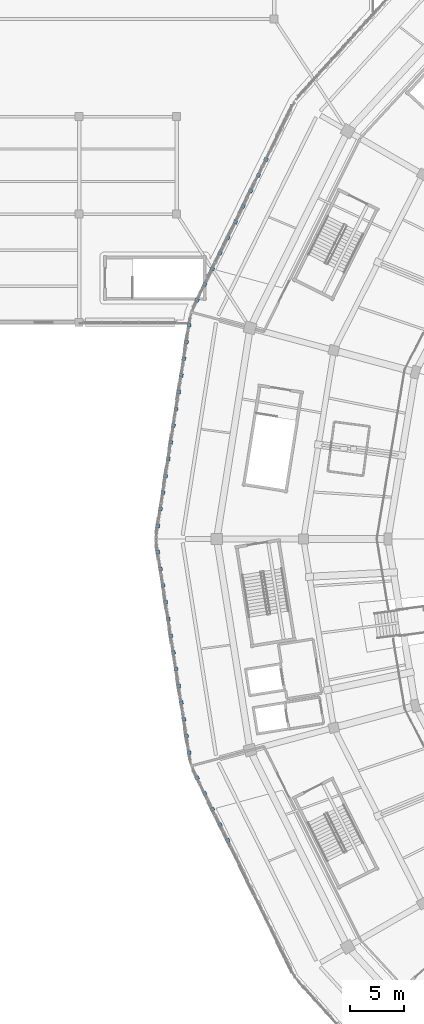
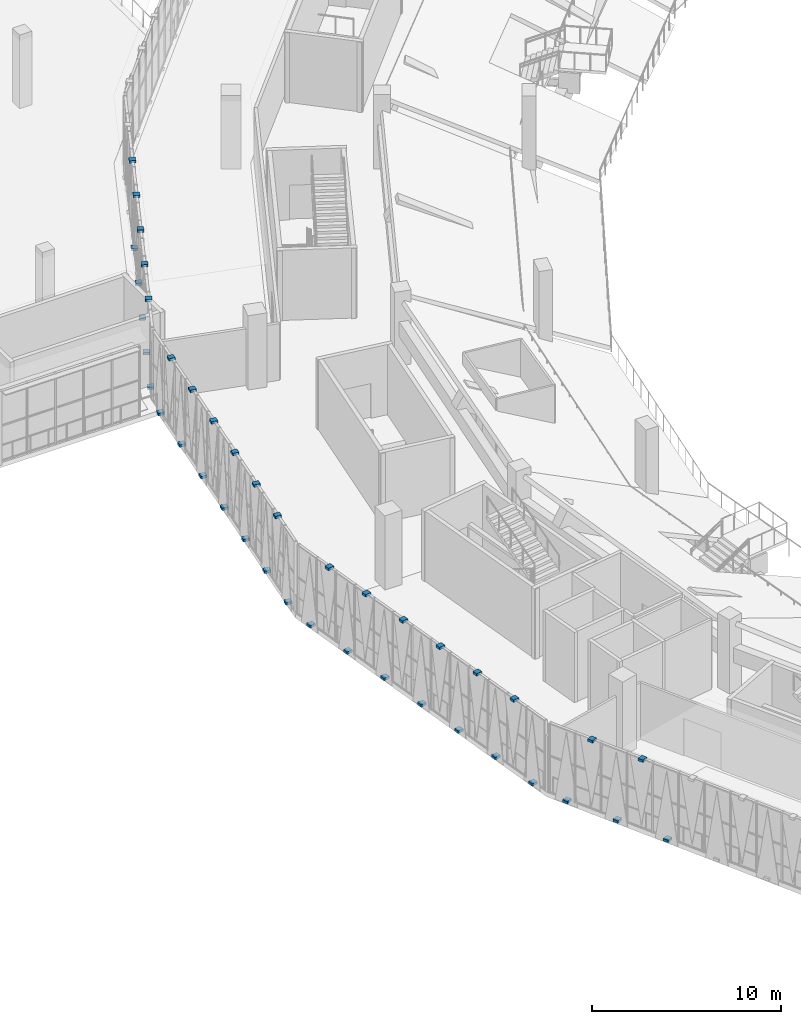
# One storey, part 106 of 152: 41 discrete accessories.
"""IFC4 building model written with IfcOpenShell, lengths in metres."""

from ifc_helpers import new_model, si_unit, direction, frame, origin, origin_2d, place, context, subcontext, project, spatial, rectangle, extrude, material, layer, layer_set, type_object, element, save


model = new_model("IFC4")

# Units and contexts
model_context = context("Model", 3, precision=1e-05, world=origin(), true_north=direction((0.0, 1.0)))
body_context = subcontext(model_context, "Body", "Model", "MODEL_VIEW")
ifc_project = project(units=[si_unit("LENGTHUNIT", "METRE"), si_unit("AREAUNIT", "SQUARE_METRE"), si_unit("VOLUMEUNIT", "CUBIC_METRE"), si_unit("PLANEANGLEUNIT", "RADIAN"), si_unit("MASSUNIT", "GRAM", prefix="KILO")], contexts=[model_context])

# Site, building, storey
site_placement = place(None, origin())
site = spatial("IfcSite", under=ifc_project, at=site_placement, CompositionType="ELEMENT")
building_placement = place(site_placement, origin())
building = spatial("IfcBuilding", under=site, at=building_placement, Name="Zevraka Park Crest Stadium", CompositionType="ELEMENT")
storey_placement = place(building_placement, frame((0.0, 0.0, 15.0)))
storey = spatial("IfcBuildingStorey", under=building, at=storey_placement, Name="L03", CompositionType="ELEMENT", Elevation=15.0)

# Discrete accessories
ifc_material = material(Name="Galvanised steel bracketry", Category="steel")
ifc_layer = layer(ifc_material, 0.1201171875)
ifc_layer_set = layer_set([ifc_layer], Name="Galvanised steel bracketry")
discrete_accessory_type = type_object("IfcDiscreteAccessoryType", Name="BRK01", PredefinedType="BRACKET", material=ifc_layer_set)
for number, where, z_axis, x_axis, name in (
    (1, (26.241943359375, 127.028076171875, 4.39990234375), (0.0, 0.0, 1.0), (-0.440722679139, -0.897643314515, 0.0), "Bronze Screen Carrier Bracket BRK01 L03-10-4"),
    (2, (25.534912109375, 125.5869140625, -0.16015625), (0.0, 0.0, 1.0), (-0.440722679139, -0.897643314515, 0.0), "Bronze Screen Carrier Bracket BRK01 L03-10-5"),
    (3, (24.827880859375, 124.14697265625, 4.39990234375), (0.0, 0.0, 1.0), (-0.440722679139, -0.897643314515, 0.0), "Bronze Screen Carrier Bracket BRK01 L03-10-6"),
    (4, (24.1201171875, 122.7060546875, -0.16015625), (0.0, 0.0, 1.0), (-0.440722679139, -0.897643314515, 0.0), "Bronze Screen Carrier Bracket BRK01 L03-10-7"),
    (5, (23.4130859375, 121.264892578125, 4.39990234375), (0.0, 0.0, 1.0), (-0.440722679139, -0.897643314515, 0.0), "Bronze Screen Carrier Bracket BRK01 L03-10-8"),
    (6, (22.7060546875, 119.824951171875, -0.16015625), (0.0, 0.0, 1.0), (-0.440722679139, -0.897643314515, 0.0), "Bronze Screen Carrier Bracket BRK01 L03-10-9"),
    (7, (21.9990234375, 118.384033203125, 4.39990234375), (0.0, 0.0, 1.0), (-0.440722679139, -0.897643314515, 0.0), "Bronze Screen Carrier Bracket BRK01 L03-10-10"),
    (8, (21.291015625, 116.944091796875, -0.16015625), (0.0, 0.0, 1.0), (-0.440722679139, -0.897643314515, 0.0), "Bronze Screen Carrier Bracket BRK01 L03-10-11"),
    (9, (20.583984375, 115.5029296875, 4.39990234375), (0.0, 0.0, 1.0), (-0.440722679139, -0.897643314515, 0.0), "Bronze Screen Carrier Bracket BRK01 L03-10-12"),
    (10, (19.876953125, 114.06201171875, -0.16015625), (0.0, 0.0, 1.0), (-0.440722679139, -0.897643314515, 0.0), "Bronze Screen Carrier Bracket BRK01 L03-10-13"),
    (11, (19.139892578125, 111.738037109375, -0.16015625), (0.0, 0.0, 1.0), (-0.15419307054, -0.988040736507, 0.0), "Bronze Screen Carrier Bracket BRK01 L03-11-1"),
    (12, (18.89892578125, 110.194091796875, 4.39990234375), (0.0, 0.0, 1.0), (-0.15419307054, -0.988040736507, 0.0), "Bronze Screen Carrier Bracket BRK01 L03-11-2"),
    (13, (18.657958984375, 108.64990234375, -0.16015625), (0.0, 0.0, 1.0), (-0.15419307054, -0.988040736507, 0.0), "Bronze Screen Carrier Bracket BRK01 L03-11-3"),
    (14, (18.4169921875, 107.10595703125, 4.39990234375), (0.0, 0.0, 1.0), (-0.15419307054, -0.988040736507, 0.0), "Bronze Screen Carrier Bracket BRK01 L03-11-4"),
    (15, (18.176025390625, 105.56103515625, -0.16015625), (0.0, 0.0, 1.0), (-0.15419307054, -0.988040736507, 0.0), "Bronze Screen Carrier Bracket BRK01 L03-11-5"),
    (16, (17.93505859375, 104.01708984375, 4.39990234375), (0.0, 0.0, 1.0), (-0.15419307054, -0.988040736507, 0.0), "Bronze Screen Carrier Bracket BRK01 L03-11-6"),
    (17, (17.695068359375, 102.472900390625, -0.16015625), (0.0, 0.0, 1.0), (-0.15419307054, -0.988040736507, 0.0), "Bronze Screen Carrier Bracket BRK01 L03-11-7"),
    (18, (17.4541015625, 100.928955078125, 4.39990234375), (0.0, 0.0, 1.0), (-0.15419307054, -0.988040736507, 0.0), "Bronze Screen Carrier Bracket BRK01 L03-11-8"),
    (19, (17.212890625, 99.385009765625, -0.16015625), (0.0, 0.0, 1.0), (-0.15419307054, -0.988040736507, 0.0), "Bronze Screen Carrier Bracket BRK01 L03-11-9"),
    (20, (16.971923828125, 97.840087890625, 4.39990234375), (0.0, 0.0, 1.0), (-0.15419307054, -0.988040736507, 0.0), "Bronze Screen Carrier Bracket BRK01 L03-11-10"),
    (21, (16.73095703125, 96.2958984375, -0.16015625), (0.0, 0.0, 1.0), (-0.15419307054, -0.988040736507, 0.0), "Bronze Screen Carrier Bracket BRK01 L03-11-11"),
    (22, (16.489990234375, 94.751953125, 4.39990234375), (0.0, 0.0, 1.0), (-0.15419307054, -0.988040736507, 0.0), "Bronze Screen Carrier Bracket BRK01 L03-11-12"),
    (23, (16.2490234375, 93.2080078125, -0.16015625), (0.0, 0.0, 1.0), (-0.15419307054, -0.988040736507, 0.0), "Bronze Screen Carrier Bracket BRK01 L03-11-13"),
    (24, (16.2490234375, 90.7919921875, -0.16015625), (0.0, 0.0, 1.0), (0.15419307054, -0.988040736507, 0.0), "Bronze Screen Carrier Bracket BRK01 L03-12-1"),
    (25, (16.489990234375, 89.248046875, 4.39990234375), (0.0, 0.0, 1.0), (0.15419307054, -0.988040736507, 0.0), "Bronze Screen Carrier Bracket BRK01 L03-12-2"),
    (26, (16.73095703125, 87.7041015625, -0.16015625), (0.0, 0.0, 1.0), (0.15419307054, -0.988040736507, 0.0), "Bronze Screen Carrier Bracket BRK01 L03-12-3"),
    (27, (16.971923828125, 86.159912109375, 4.39990234375), (0.0, 0.0, 1.0), (0.15419307054, -0.988040736507, 0.0), "Bronze Screen Carrier Bracket BRK01 L03-12-4"),
    (28, (17.212890625, 84.614990234375, -0.16015625), (0.0, 0.0, 1.0), (0.15419307054, -0.988040736507, 0.0), "Bronze Screen Carrier Bracket BRK01 L03-12-5"),
    (29, (17.4541015625, 83.071044921875, 4.39990234375), (0.0, 0.0, 1.0), (0.15419307054, -0.988040736507, 0.0), "Bronze Screen Carrier Bracket BRK01 L03-12-6"),
    (30, (17.695068359375, 81.527099609375, -0.16015625), (0.0, 0.0, 1.0), (0.15419307054, -0.988040736507, 0.0), "Bronze Screen Carrier Bracket BRK01 L03-12-7"),
    (31, (17.93505859375, 79.98291015625, 4.39990234375), (0.0, 0.0, 1.0), (0.15419307054, -0.988040736507, 0.0), "Bronze Screen Carrier Bracket BRK01 L03-12-8"),
    (32, (18.176025390625, 78.43896484375, -0.16015625), (0.0, 0.0, 1.0), (0.15419307054, -0.988040736507, 0.0), "Bronze Screen Carrier Bracket BRK01 L03-12-9"),
    (33, (18.4169921875, 76.89404296875, 4.39990234375), (0.0, 0.0, 1.0), (0.15419307054, -0.988040736507, 0.0), "Bronze Screen Carrier Bracket BRK01 L03-12-10"),
    (34, (18.657958984375, 75.35009765625, -0.16015625), (0.0, 0.0, 1.0), (0.15419307054, -0.988040736507, 0.0), "Bronze Screen Carrier Bracket BRK01 L03-12-11"),
    (35, (18.89892578125, 73.805908203125, 4.39990234375), (0.0, 0.0, 1.0), (0.15419307054, -0.988040736507, 0.0), "Bronze Screen Carrier Bracket BRK01 L03-12-12"),
    (36, (19.139892578125, 72.261962890625, -0.16015625), (0.0, 0.0, 1.0), (0.15419307054, -0.988040736507, 0.0), "Bronze Screen Carrier Bracket BRK01 L03-12-13"),
    (37, (19.876953125, 69.93798828125, -0.16015625), (0.0, 0.0, 1.0), (0.440722679139, -0.897643314515, 0.0), "Bronze Screen Carrier Bracket BRK01 L03-13-1"),
    (38, (20.583984375, 68.4970703125, 4.39990234375), (0.0, 0.0, 1.0), (0.440722679139, -0.897643314515, 0.0), "Bronze Screen Carrier Bracket BRK01 L03-13-2"),
    (39, (21.291015625, 67.055908203125, -0.16015625), (0.0, 0.0, 1.0), (0.440722679139, -0.897643314515, 0.0), "Bronze Screen Carrier Bracket BRK01 L03-13-3"),
    (40, (21.9990234375, 65.615966796875, 4.39990234375), (0.0, 0.0, 1.0), (0.440722679139, -0.897643314515, 0.0), "Bronze Screen Carrier Bracket BRK01 L03-13-4"),
    (41, (22.7060546875, 64.175048828125, -0.16015625), (0.0, 0.0, 1.0), (0.440722679139, -0.897643314515, 0.0), "Bronze Screen Carrier Bracket BRK01 L03-13-5"),
):
    element("IfcDiscreteAccessory", number, at=place(storey_placement, frame(where, z_axis=z_axis, x_axis=x_axis)), inside=storey, type_object=discrete_accessory_type, Name=name, PredefinedType="BRACKET", context=body_context, shape_type="SweptSolid", body=[
        extrude(rectangle(XDim=0.320068359375, YDim=0.360107421875, at=origin_2d()), origin(), (0.0, 0.0, 1.0), 0.159912109375),
    ])

save(model, "model.ifc")
